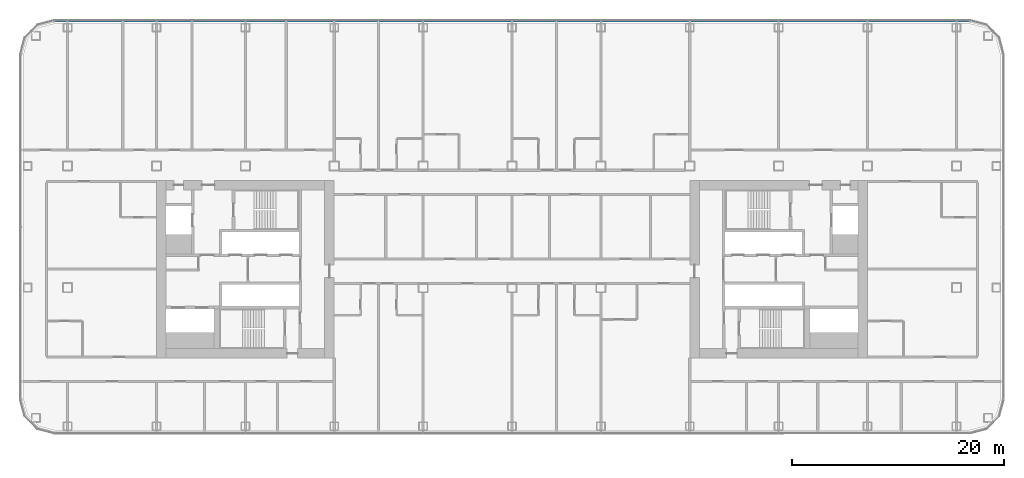
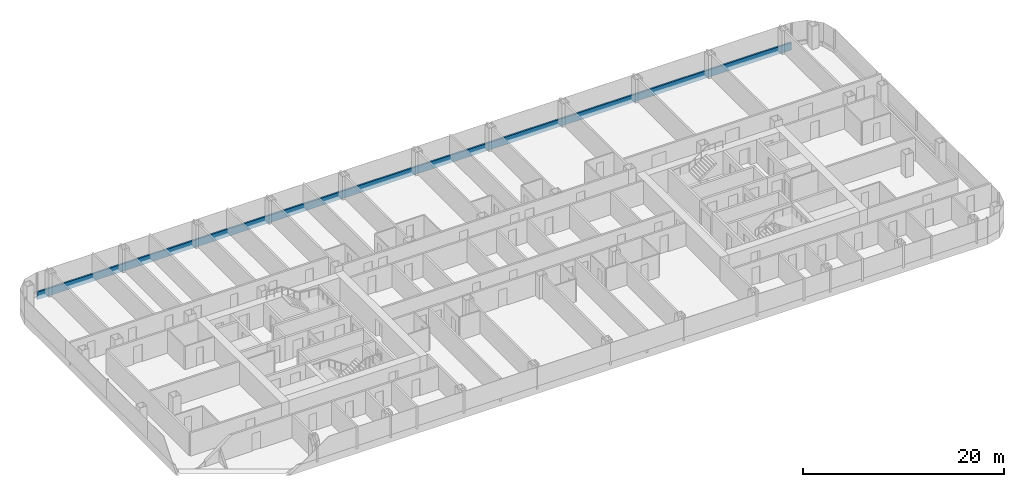
# One storey, part 9 of 29: 1 member, 1 element without a shape of its own.
"""IFC4 building model written with IfcOpenShell, lengths in metres."""

from ifc_helpers import new_model, si_unit, direction, frame, origin, origin_2d, place, context, subcontext, project, spatial, rectangle, extrude, material, layer, layer_set, material_profile, profile_set, type_object, element, aggregate, save


model = new_model("IFC4")

# Units and contexts
model_context = context("Model", 3, precision=1e-05, world=origin(), true_north=direction((0.0, 1.0)))
body_context = subcontext(model_context, "Body", "Model", "MODEL_VIEW")
ifc_project = project(units=[si_unit("LENGTHUNIT", "METRE"), si_unit("AREAUNIT", "SQUARE_METRE"), si_unit("VOLUMEUNIT", "CUBIC_METRE"), si_unit("PLANEANGLEUNIT", "RADIAN"), si_unit("MASSUNIT", "GRAM", prefix="KILO")], contexts=[model_context])

# Site, building, storey
site_placement = place(None, origin())
site = spatial("IfcSite", under=ifc_project, at=site_placement, CompositionType="ELEMENT")
building_placement = place(site_placement, origin())
building = spatial("IfcBuilding", under=site, at=building_placement, Name="Hakoniwa Tower and Hamabe Station Hall", CompositionType="ELEMENT")
storey_placement = place(building_placement, frame((0.0, 0.0, 101.0)))
storey = spatial("IfcBuildingStorey", under=building, at=storey_placement, Name="L28", CompositionType="ELEMENT", Elevation=101.0)

# Curtain wall, member
ifc_material_1 = material(Name="Dark low-e laminated glass", Category="glass")
ifc_layer = layer(ifc_material_1, 0.199951171875)
ifc_layer_set = layer_set([ifc_layer], Name="CW-1 UNITISED GUEST")
curtain_wall_type = type_object("IfcCurtainWallType", Name="CW-1 UNITISED GUEST", PredefinedType="NOTDEFINED", material=ifc_layer_set)
curtain_wall_placement = place(storey_placement, origin())
curtain_wall = element("IfcCurtainWall", 1, at=curtain_wall_placement, inside=storey, type_object=curtain_wall_type, Name="CW-1 curtain wall", PredefinedType="NOTDEFINED")
ifc_material_2 = material(Name="Aluminium 6063-T5 black anodised", Category="aluminium")
ifc_material_profile = material_profile(ifc_material_2, rectangle(XDim=0.199951171875, YDim=0.89990234375, at=origin_2d()), Name="CW SLAB-EDGE BAND 900X200")
ifc_profile_set = profile_set([ifc_material_profile], Name="Aluminium 6063-T5 black anodised")
member_type = type_object("IfcMemberType", Name="CW SLAB-EDGE BAND 900X200", PredefinedType="USERDEFINED", material=ifc_profile_set)
member_placement = place(storey_placement, frame((43.239501953125, 23.449951171875, -0.10009765625), z_axis=(-1.0, 0.0, 0.0), x_axis=(0.0, -1.0, 0.0)))
member = element("IfcMember", 2, at=member_placement, type_object=member_type, Name="CW-1 transom", ObjectType="TRANSOM", PredefinedType="USERDEFINED", context=body_context, shape_type="SweptSolid", body=[
    extrude(rectangle(XDim=0.199951171875, YDim=0.89990234375, at=origin_2d()), origin(), (0.0, 0.0, 1.0), 86.47900390625),
])
aggregate(curtain_wall, [member])

save(model, "model.ifc")
